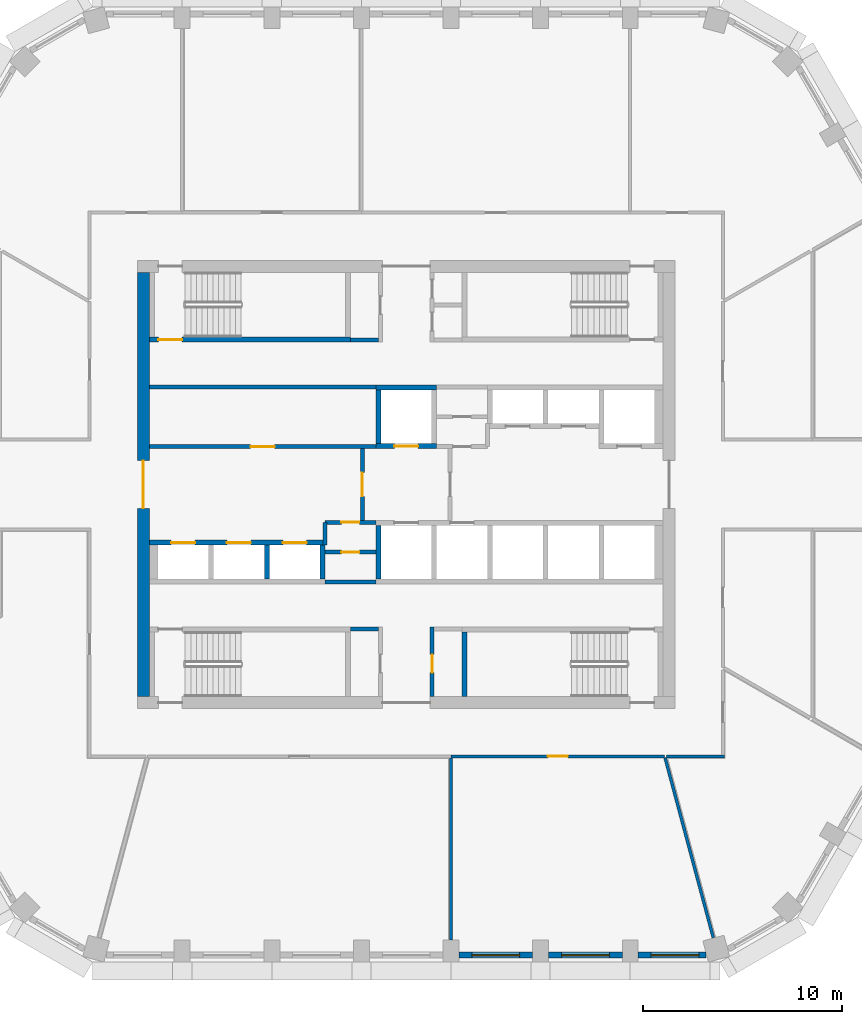
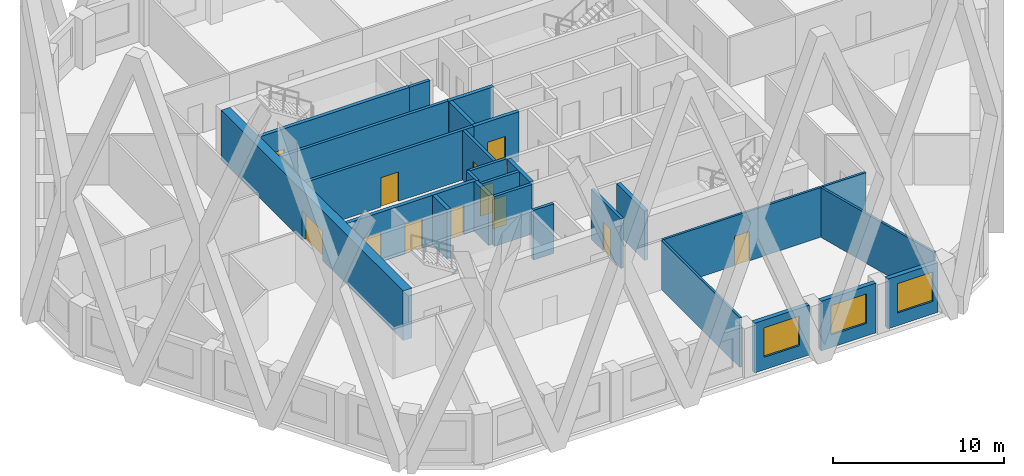
# One storey, part 3 of 15: 27 walls, 12 doors, 3 windows, 15 openings.
"""IFC4 building model written with IfcOpenShell, lengths in metres."""

from ifc_helpers import new_model, si_unit, direction, frame, frame_2d, origin, place, context, subcontext, project, spatial, polyline, rectangle, outline, extrude, material, layer, layer_set, type_object, element, fill, save


model = new_model("IFC4")

# Units and contexts
model_context = context("Model", 3, precision=1e-05, world=origin(), true_north=direction((0.0, 1.0)))
body_context = subcontext(model_context, "Body", "Model", "MODEL_VIEW")
ifc_project = project(units=[si_unit("LENGTHUNIT", "METRE"), si_unit("AREAUNIT", "SQUARE_METRE"), si_unit("VOLUMEUNIT", "CUBIC_METRE"), si_unit("PLANEANGLEUNIT", "RADIAN"), si_unit("MASSUNIT", "GRAM", prefix="KILO")], contexts=[model_context])

# Site, building, storey
site_placement = place(None, origin())
site = spatial("IfcSite", under=ifc_project, at=site_placement, CompositionType="ELEMENT")
building_placement = place(site_placement, origin())
building = spatial("IfcBuilding", under=site, at=building_placement, Name="Dhurran Vertical Campus", CompositionType="ELEMENT")
storey_placement = place(building_placement, frame((0.0, 0.0, 207.300048828125)))
storey = spatial("IfcBuildingStorey", under=building, at=storey_placement, Name="L51", CompositionType="ELEMENT", Elevation=207.300048828125)

# Wall, opening, window
ifc_material_1 = material(Name="Precast concrete C50/60", Category="concrete")
ifc_layer_1 = layer(ifc_material_1, 0.300048828125)
ifc_layer_set_1 = layer_set([ifc_layer_1], Name="Precast concrete C50/60")
wall_type_1 = type_object("IfcWallType", Name="Precast spandrel wall 300", PredefinedType="SOLIDWALL", material=ifc_layer_set_1)
wall_1_placement = place(storey_placement, frame((2.650390625, -23.635498046875, 0.0), z_axis=(0.0, 0.0, 1.0), x_axis=(1.0, 0.0, 0.0)))
wall_1 = element("IfcWall", 1, at=wall_1_placement, inside=storey, type_object=wall_type_1, Name="EW1 L51.04", PredefinedType="SOLIDWALL", context=body_context, shape_type="SweptSolid", body=[
    extrude(rectangle(XDim=3.69921875, YDim=0.300048828125, at=frame_2d((1.849609375, 0.0))), origin(), (0.0, 0.0, 1.0), 3.550048828125),
])
opening_1_placement = place(wall_1_placement, frame((0.6494140625, 0.0, 0.89990234375)))
opening_1 = element("IfcOpeningElement", 2, at=opening_1_placement, cuts=wall_1, Name="Opening WT1", PredefinedType="OPENING", context=body_context, shape_type="SweptSolid", body=[
    extrude(rectangle(XDim=2.39990234375, YDim=2.10009765625, at=frame_2d((1.199951171875, 1.050048828125))), frame((0.0, 0.159912109375, 0.0), z_axis=(0.0, -1.0, 0.0), x_axis=(1.0, 0.0, 0.0)), (0.0, 0.0, 1.0), 0.320068359375),
])
ifc_material_2 = material(Name="Aluminium frame with solar-control glass", Category="aluminium")
window_type = type_object("IfcWindowType", Name="Punched window 2400 x 2100", PartitioningType="SINGLE_PANEL", PredefinedType="WINDOW", material=ifc_material_2)
window_1_placement = place(opening_1_placement, origin())
window_1 = element("IfcWindow", 3, at=window_1_placement, inside=storey, type_object=window_type, Name="WT1 L51.04", OverallHeight=2.10009765625, OverallWidth=2.39990234375, PartitioningType="SINGLE_PANEL", PredefinedType="WINDOW", context=body_context, shape_type="SweptSolid", body=[
    extrude(rectangle(XDim=2.39990234375, YDim=2.10009765625, at=frame_2d((1.199951171875, 1.050048828125))), frame((0.0, 0.030029296875, 0.0), z_axis=(0.0, -1.0, 0.0), x_axis=(1.0, 0.0, 0.0)), (0.0, 0.0, 1.0), 0.06005859375),
])
fill(opening_1, window_1)

wall_2_placement = place(storey_placement, frame((7.150390625, -23.635498046875, 0.0), z_axis=(0.0, 0.0, 1.0), x_axis=(1.0, 0.0, 0.0)))
wall_2 = element("IfcWall", 4, at=wall_2_placement, inside=storey, type_object=wall_type_1, Name="EW1 L51.05", PredefinedType="SOLIDWALL", context=body_context, shape_type="SweptSolid", body=[
    extrude(rectangle(XDim=3.69921875, YDim=0.300048828125, at=frame_2d((1.849609375, 0.0))), origin(), (0.0, 0.0, 1.0), 3.550048828125),
])
opening_2_placement = place(wall_2_placement, frame((0.6494140625, 0.0, 0.89990234375)))
opening_2 = element("IfcOpeningElement", 5, at=opening_2_placement, cuts=wall_2, Name="Opening WT1", PredefinedType="OPENING", context=body_context, shape_type="SweptSolid", body=[
    extrude(rectangle(XDim=2.39990234375, YDim=2.10009765625, at=frame_2d((1.199951171875, 1.050048828125))), frame((0.0, 0.159912109375, 0.0), z_axis=(0.0, -1.0, 0.0), x_axis=(1.0, 0.0, 0.0)), (0.0, 0.0, 1.0), 0.320068359375),
])
window_2_placement = place(opening_2_placement, origin())
window_2 = element("IfcWindow", 6, at=window_2_placement, inside=storey, type_object=window_type, Name="WT1 L51.05", OverallHeight=2.10009765625, OverallWidth=2.39990234375, PartitioningType="SINGLE_PANEL", PredefinedType="WINDOW", context=body_context, shape_type="SweptSolid", body=[
    extrude(rectangle(XDim=2.39990234375, YDim=2.10009765625, at=frame_2d((1.199951171875, 1.050048828125))), frame((0.0, 0.030029296875, 0.0), z_axis=(0.0, -1.0, 0.0), x_axis=(1.0, 0.0, 0.0)), (0.0, 0.0, 1.0), 0.06005859375),
])
fill(opening_2, window_2)

wall_3_placement = place(storey_placement, frame((11.650390625, -23.635498046875, 0.0), z_axis=(0.0, 0.0, 1.0), x_axis=(1.0, 0.0, 0.0)))
wall_3 = element("IfcWall", 7, at=wall_3_placement, inside=storey, type_object=wall_type_1, Name="EW1 L51.06", PredefinedType="SOLIDWALL", context=body_context, shape_type="SweptSolid", body=[
    extrude(rectangle(XDim=3.39599609375, YDim=0.300048828125, at=frame_2d((1.697998046875, 0.0))), origin(), (0.0, 0.0, 1.0), 3.550048828125),
])
opening_3_placement = place(wall_3_placement, frame((0.6494140625, 0.0, 0.89990234375)))
opening_3 = element("IfcOpeningElement", 8, at=opening_3_placement, cuts=wall_3, Name="Opening WT1", PredefinedType="OPENING", context=body_context, shape_type="SweptSolid", body=[
    extrude(rectangle(XDim=2.39990234375, YDim=2.10009765625, at=frame_2d((1.199951171875, 1.050048828125))), frame((0.0, 0.159912109375, 0.0), z_axis=(0.0, -1.0, 0.0), x_axis=(1.0, 0.0, 0.0)), (0.0, 0.0, 1.0), 0.320068359375),
])
window_3_placement = place(opening_3_placement, origin())
window_3 = element("IfcWindow", 9, at=window_3_placement, inside=storey, type_object=window_type, Name="WT1 L51.06", OverallHeight=2.10009765625, OverallWidth=2.39990234375, PartitioningType="SINGLE_PANEL", PredefinedType="WINDOW", context=body_context, shape_type="SweptSolid", body=[
    extrude(rectangle(XDim=2.39990234375, YDim=2.10009765625, at=frame_2d((1.199951171875, 1.050048828125))), frame((0.0, 0.030029296875, 0.0), z_axis=(0.0, -1.0, 0.0), x_axis=(1.0, 0.0, 0.0)), (0.0, 0.0, 1.0), 0.06005859375),
])
fill(opening_3, window_3)

# Wall, opening, door
ifc_material_3 = material(Name="Concrete C50/60", Category="concrete")
ifc_layer_2 = layer(ifc_material_3, 0.60009765625)
ifc_layer_set_2 = layer_set([ifc_layer_2], Name="Concrete C50/60")
wall_type_2 = type_object("IfcWallType", Name="co-CORE-WALL-C2-600", PredefinedType="SHEAR", material=ifc_layer_set_2)
wall_4_placement = place(storey_placement, frame((-13.199951171875, -10.64990234375, 0.0), z_axis=(0.0, 0.0, 1.0), x_axis=(0.0, 1.0, 0.0)))
wall_4 = element("IfcWall", 10, at=wall_4_placement, inside=storey, type_object=wall_type_2, Name="Core wall W L51", PredefinedType="SHEAR", context=body_context, shape_type="SweptSolid", body=[
    extrude(rectangle(XDim=21.2998046875, YDim=0.60009765625, at=frame_2d((10.64990234375, 0.0))), origin(), (0.0, 0.0, 1.0), 3.550048828125),
])
opening_4_placement = place(wall_4_placement, frame((9.449951171875, 0.0, 0.0)))
opening_4 = element("IfcOpeningElement", 11, at=opening_4_placement, cuts=wall_4, Name="Opening CL1", PredefinedType="OPENING", context=body_context, shape_type="SweptSolid", body=[
    extrude(rectangle(XDim=2.39990234375, YDim=2.10009765625, at=frame_2d((1.199951171875, 1.050048828125))), frame((0.0, 0.31005859375, 0.0), z_axis=(0.0, -1.0, 0.0), x_axis=(1.0, 0.0, 0.0)), (0.0, 0.0, 1.0), 0.6201171875),
])
ifc_material_4 = material(Name="Fire-rated glazed door set")
door_type_1 = type_object("IfcDoorType", Name="co-D-LOBBY 2400x2100", OperationType="DOUBLE_DOOR_DOUBLE_SWING", PredefinedType="DOOR", material=ifc_material_4)
door_1_placement = place(opening_4_placement, origin())
door_1 = element("IfcDoor", 12, at=door_1_placement, inside=storey, type_object=door_type_1, Name="Lift lobby door W L51", OperationType="DOUBLE_DOOR_DOUBLE_SWING", OverallHeight=2.10009765625, OverallWidth=2.39990234375, PredefinedType="DOOR", context=body_context, shape_type="SweptSolid", body=[
    extrude(rectangle(XDim=2.39990234375, YDim=2.10009765625, at=frame_2d((1.199951171875, 1.050048828125))), frame((0.0, 0.02490234375, 0.0), z_axis=(0.0, -1.0, 0.0), x_axis=(1.0, 0.0, 0.0)), (0.0, 0.0, 1.0), 0.050048828125),
])
fill(opening_4, door_1)

ifc_material_5 = material(Name="Fire-rated masonry blockwork", Category="masonry")
ifc_layer_3 = layer(ifc_material_5, 0.199951171875)
ifc_layer_set_3 = layer_set([ifc_layer_3], Name="Fire-rated masonry blockwork")
wall_type_3 = type_object("IfcWallType", Name="co-FIRE-PARTITION-200", PredefinedType="PARTITIONING", material=ifc_layer_set_3)
wall_5_placement = place(storey_placement, frame((-2.199951171875, -1.800048828125, 0.0), z_axis=(0.0, 0.0, 1.0), x_axis=(0.0, 1.0, 0.0)))
wall_5 = element("IfcWall", 13, at=wall_5_placement, inside=storey, type_object=wall_type_3, Name="Firefighting lobby wall W L51", PredefinedType="PARTITIONING", context=body_context, shape_type="SweptSolid", body=[
    extrude(rectangle(XDim=3.60009765625, YDim=0.199951171875, at=frame_2d((1.800048828125, 0.0))), origin(), (0.0, 0.0, 1.0), 3.550048828125),
])
opening_5_placement = place(wall_5_placement, frame((1.199951171875, 0.0, 0.0)))
opening_5 = element("IfcOpeningElement", 14, at=opening_5_placement, cuts=wall_5, Name="Opening FL1", PredefinedType="OPENING", context=body_context, shape_type="SweptSolid", body=[
    extrude(rectangle(XDim=1.199951171875, YDim=2.10009765625, at=frame_2d((0.60009765625, 1.050048828125))), frame((0.0, 0.10986328125, 0.0), z_axis=(0.0, -1.0, 0.0), x_axis=(1.0, 0.0, 0.0)), (0.0, 0.0, 1.0), 0.219970703125),
])
ifc_material_6 = material(Name="Fire-rated steel door set", Category="steel")
door_type_2 = type_object("IfcDoorType", Name="co-D-FFLOBBY 1200x2100", OperationType="SINGLE_SWING_LEFT", PredefinedType="DOOR", material=ifc_material_6)
door_2_placement = place(opening_5_placement, origin())
door_2 = element("IfcDoor", 15, at=door_2_placement, inside=storey, type_object=door_type_2, Name="Firefighting lobby door W L51", OperationType="SINGLE_SWING_LEFT", OverallHeight=2.10009765625, OverallWidth=1.199951171875, PredefinedType="DOOR", context=body_context, shape_type="SweptSolid", body=[
    extrude(rectangle(XDim=1.199951171875, YDim=2.10009765625, at=frame_2d((0.60009765625, 1.050048828125))), frame((0.0, 0.02490234375, 0.0), z_axis=(0.0, -1.0, 0.0), x_axis=(1.0, 0.0, 0.0)), (0.0, 0.0, 1.0), 0.050048828125),
])
fill(opening_5, door_2)

# Walls
for number, where, z_axis, x_axis, name in (
    (16, (-2.800048828125, 7.25, 0.0), (0.0, 0.0, 1.0), (1.0, 0.0, 0.0), "Core partition sl-NW-S L51"),
    (17, (-2.800048828125, -7.25, 0.0), (0.0, 0.0, 1.0), (1.0, 0.0, 0.0), "Core partition sl-SW-S L51"),
):
    element("IfcWall", number, at=place(storey_placement, frame(where, z_axis=z_axis, x_axis=x_axis)), inside=storey, type_object=wall_type_3, Name=name, PredefinedType="PARTITIONING", context=body_context, shape_type="SweptSolid", body=[
        extrude(rectangle(XDim=1.400146484375, YDim=0.199951171875, at=frame_2d((0.7001953125, 0.0))), origin(), (0.0, 0.0, 1.0), 3.550048828125),
    ])

# Wall, opening, door
wall_6_placement = place(storey_placement, frame((1.300048828125, -10.64990234375, 0.0), z_axis=(0.0, 0.0, 1.0), x_axis=(0.0, 1.0, 0.0)))
wall_6 = element("IfcWall", 18, at=wall_6_placement, inside=storey, type_object=wall_type_3, Name="Core partition vest-SE L51", PredefinedType="PARTITIONING", context=body_context, shape_type="SweptSolid", body=[
    extrude(rectangle(XDim=3.5, YDim=0.199951171875, at=frame_2d((1.75, 0.0))), origin(), (0.0, 0.0, 1.0), 3.550048828125),
])
opening_6_placement = place(wall_6_placement, frame((1.199951171875, 0.0, 0.0)))
opening_6 = element("IfcOpeningElement", 19, at=opening_6_placement, cuts=wall_6, Name="Opening T15-C2", PredefinedType="OPENING", context=body_context, shape_type="SweptSolid", body=[
    extrude(rectangle(XDim=0.89990234375, YDim=2.10009765625, at=frame_2d((0.449951171875, 1.050048828125))), frame((0.0, 0.10986328125, 0.0), z_axis=(0.0, -1.0, 0.0), x_axis=(1.0, 0.0, 0.0)), (0.0, 0.0, 1.0), 0.219970703125),
])
ifc_material_7 = material(Name="Fire-rated timber door set", Category="wood")
door_type_3 = type_object("IfcDoorType", Name="co-D-ROOM 900x2100", OperationType="SINGLE_SWING_LEFT", PredefinedType="DOOR", material=ifc_material_7)
door_3_placement = place(opening_6_placement, origin())
door_3 = element("IfcDoor", 20, at=door_3_placement, inside=storey, type_object=door_type_3, Name="Cleaner's store door L51", OperationType="SINGLE_SWING_LEFT", OverallHeight=2.10009765625, OverallWidth=0.89990234375, PredefinedType="DOOR", context=body_context, shape_type="SweptSolid", body=[
    extrude(rectangle(XDim=0.89990234375, YDim=2.10009765625, at=frame_2d((0.449951171875, 1.050048828125))), frame((0.0, 0.02490234375, 0.0), z_axis=(0.0, -1.0, 0.0), x_axis=(1.0, 0.0, 0.0)), (0.0, 0.0, 1.0), 0.050048828125),
])
fill(opening_6, door_3)

wall_7_placement = place(storey_placement, frame((-12.89990234375, 1.89990234375, 0.0), z_axis=(0.0, 0.0, 1.0), x_axis=(1.0, 0.0, 0.0)))
wall_7 = element("IfcWall", 21, at=wall_7_placement, inside=storey, type_object=wall_type_3, Name="Core partition fr-N0-f L51", PredefinedType="PARTITIONING", context=body_context, shape_type="SweptSolid", body=[
    extrude(rectangle(XDim=11.375, YDim=0.199951171875, at=frame_2d((5.6875, 0.0))), origin(), (0.0, 0.0, 1.0), 3.550048828125),
])
opening_7_placement = place(wall_7_placement, frame((5.08740234375, 0.0, 0.0)))
opening_7 = element("IfcOpeningElement", 22, at=opening_7_placement, cuts=wall_7, Name="Opening T15-C6", PredefinedType="OPENING", context=body_context, shape_type="SweptSolid", body=[
    extrude(rectangle(XDim=1.199951171875, YDim=2.10009765625, at=frame_2d((0.60009765625, 1.050048828125))), frame((0.0, 0.10986328125, 0.0), z_axis=(0.0, -1.0, 0.0), x_axis=(1.0, 0.0, 0.0)), (0.0, 0.0, 1.0), 0.219970703125),
])
ifc_material_8 = material(Name="Fire-rated steel door set", Category="steel")
door_type_4 = type_object("IfcDoorType", Name="co-D-ROOM-PASSAGE 1200x2100", OperationType="SINGLE_SWING_RIGHT", PredefinedType="DOOR", material=ifc_material_8)
door_4_placement = place(opening_7_placement, origin())
door_4 = element("IfcDoor", 23, at=door_4_placement, inside=storey, type_object=door_type_4, Name="Print room door L51", OperationType="SINGLE_SWING_RIGHT", OverallHeight=2.10009765625, OverallWidth=1.199951171875, PredefinedType="DOOR", context=body_context, shape_type="SweptSolid", body=[
    extrude(rectangle(XDim=1.199951171875, YDim=2.10009765625, at=frame_2d((0.60009765625, 1.050048828125))), frame((0.0, 0.02490234375, 0.0), z_axis=(0.0, -1.0, 0.0), x_axis=(1.0, 0.0, 0.0)), (0.0, 0.0, 1.0), 0.050048828125),
])
fill(opening_7, door_4)

# Wall
wall_8_placement = place(storey_placement, frame((-12.89990234375, 4.89990234375, 0.0), z_axis=(0.0, 0.0, 1.0), x_axis=(1.0, 0.0, 0.0)))
element("IfcWall", 24, at=wall_8_placement, inside=storey, type_object=wall_type_3, Name="Core partition fr-N0-b L51", PredefinedType="PARTITIONING", context=body_context, shape_type="SweptSolid", body=[
    extrude(rectangle(XDim=11.375, YDim=0.199951171875, at=frame_2d((5.6875, 0.0))), origin(), (0.0, 0.0, 1.0), 3.550048828125),
])

# Wall, opening, door
wall_9_placement = place(storey_placement, frame((-4.074951171875, -3.39990234375, 0.0), z_axis=(0.0, 0.0, 1.0), x_axis=(1.0, 0.0, 0.0)))
wall_9 = element("IfcWall", 25, at=wall_9_placement, inside=storey, type_object=wall_type_3, Name="Core partition fr-S0-c L51", PredefinedType="PARTITIONING", context=body_context, shape_type="SweptSolid", body=[
    extrude(rectangle(XDim=2.550048828125, YDim=0.199951171875, at=frame_2d((1.27490234375, 0.0))), origin(), (0.0, 0.0, 1.0), 3.550048828125),
])
opening_8_placement = place(wall_9_placement, frame((0.824951171875, 0.0, 0.0)))
opening_8 = element("IfcOpeningElement", 26, at=opening_8_placement, cuts=wall_9, Name="Opening T15-C9", PredefinedType="OPENING", context=body_context, shape_type="SweptSolid", body=[
    extrude(rectangle(XDim=0.89990234375, YDim=2.10009765625, at=frame_2d((0.449951171875, 1.050048828125))), frame((0.0, 0.10986328125, 0.0), z_axis=(0.0, -1.0, 0.0), x_axis=(1.0, 0.0, 0.0)), (0.0, 0.0, 1.0), 0.219970703125),
])
door_5_placement = place(opening_8_placement, origin())
door_5 = element("IfcDoor", 27, at=door_5_placement, inside=storey, type_object=door_type_3, Name="Housekeeping store door L51", OperationType="SINGLE_SWING_LEFT", OverallHeight=2.10009765625, OverallWidth=0.89990234375, PredefinedType="DOOR", context=body_context, shape_type="SweptSolid", body=[
    extrude(rectangle(XDim=0.89990234375, YDim=2.10009765625, at=frame_2d((0.449951171875, 1.050048828125))), frame((0.0, 0.02490234375, 0.0), z_axis=(0.0, -1.0, 0.0), x_axis=(1.0, 0.0, 0.0)), (0.0, 0.0, 1.0), 0.050048828125),
])
fill(opening_8, door_5)

wall_10_placement = place(storey_placement, frame((-4.074951171875, -1.89990234375, 0.0), z_axis=(0.0, 0.0, 1.0), x_axis=(1.0, 0.0, 0.0)))
wall_10 = element("IfcWall", 28, at=wall_10_placement, inside=storey, type_object=wall_type_3, Name="Core partition fr-S0-f L51", PredefinedType="PARTITIONING", context=body_context, shape_type="SweptSolid", body=[
    extrude(rectangle(XDim=2.550048828125, YDim=0.199951171875, at=frame_2d((1.27490234375, 0.0))), origin(), (0.0, 0.0, 1.0), 3.550048828125),
])
opening_9_placement = place(wall_10_placement, frame((0.824951171875, 0.0, 0.0)))
opening_9 = element("IfcOpeningElement", 29, at=opening_9_placement, cuts=wall_10, Name="Opening T15-C10", PredefinedType="OPENING", context=body_context, shape_type="SweptSolid", body=[
    extrude(rectangle(XDim=0.89990234375, YDim=2.10009765625, at=frame_2d((0.449951171875, 1.050048828125))), frame((0.0, 0.10986328125, 0.0), z_axis=(0.0, -1.0, 0.0), x_axis=(1.0, 0.0, 0.0)), (0.0, 0.0, 1.0), 0.219970703125),
])
door_6_placement = place(opening_9_placement, origin())
door_6 = element("IfcDoor", 30, at=door_6_placement, inside=storey, type_object=door_type_3, Name="Plant room door L51", OperationType="SINGLE_SWING_LEFT", OverallHeight=2.10009765625, OverallWidth=0.89990234375, PredefinedType="DOOR", context=body_context, shape_type="SweptSolid", body=[
    extrude(rectangle(XDim=0.89990234375, YDim=2.10009765625, at=frame_2d((0.449951171875, 1.050048828125))), frame((0.0, 0.02490234375, 0.0), z_axis=(0.0, -1.0, 0.0), x_axis=(1.0, 0.0, 0.0)), (0.0, 0.0, 1.0), 0.050048828125),
])
fill(opening_9, door_6)

# Walls
wall_11_placement = place(storey_placement, frame((-4.074951171875, -4.89990234375, 0.0), z_axis=(0.0, 0.0, 1.0), x_axis=(1.0, 0.0, 0.0)))
element("IfcWall", 31, at=wall_11_placement, inside=storey, type_object=wall_type_3, Name="Core partition fr-S0-b L51", PredefinedType="PARTITIONING", context=body_context, shape_type="SweptSolid", body=[
    extrude(rectangle(XDim=2.550048828125, YDim=0.199951171875, at=frame_2d((1.27490234375, 0.0))), origin(), (0.0, 0.0, 1.0), 3.550048828125),
])
wall_12_placement = place(storey_placement, frame((-4.074951171875, -1.89990234375, 0.0), z_axis=(0.0, 0.0, 1.0), x_axis=(0.0, -1.0, 0.0)))
element("IfcWall", 32, at=wall_12_placement, inside=storey, type_object=wall_type_3, Name="Core partition fr-S0-n0 L51", PredefinedType="PARTITIONING", context=body_context, shape_type="SweptSolid", body=[
    extrude(rectangle(XDim=1.150146484375, YDim=0.199951171875, at=frame_2d((0.5751953125, 0.0))), origin(), (0.0, 0.0, 1.0), 3.550048828125),
])

# Wall, opening, door
ifc_material_9 = material(Name="Concrete C50/60", Category="concrete")
ifc_layer_4 = layer(ifc_material_9, 0.25)
ifc_layer_set_4 = layer_set([ifc_layer_4], Name="Concrete C50/60")
wall_type_4 = type_object("IfcWallType", Name="co-SHAFT-FRONT-250", PredefinedType="SHEAR", material=ifc_layer_set_4)
wall_13_placement = place(storey_placement, frame((-1.52490234375, 1.925048828125, 0.0), z_axis=(0.0, 0.0, 1.0), x_axis=(1.0, 0.0, 0.0)))
wall_13 = element("IfcWall", 33, at=wall_13_placement, inside=storey, type_object=wall_type_4, Name="Lift landing wall N L51", PredefinedType="SHEAR", context=body_context, shape_type="SweptSolid", body=[
    extrude(rectangle(XDim=3.0498046875, YDim=0.25, at=frame_2d((1.52490234375, 0.0))), origin(), (0.0, 0.0, 1.0), 3.550048828125),
])
opening_10_placement = place(wall_13_placement, frame((0.925048828125, 0.0, 0.0)))
opening_10 = element("IfcOpeningElement", 34, at=opening_10_placement, cuts=wall_13, Name="Opening LD", PredefinedType="OPENING", context=body_context, shape_type="SweptSolid", body=[
    extrude(rectangle(XDim=1.199951171875, YDim=2.10009765625, at=frame_2d((0.60009765625, 1.050048828125))), frame((0.0, 0.135009765625, 0.0), z_axis=(0.0, -1.0, 0.0), x_axis=(1.0, 0.0, 0.0)), (0.0, 0.0, 1.0), 0.27001953125),
])
ifc_material_10 = material(Name="Stainless steel landing door", Category="steel")
door_type_5 = type_object("IfcDoorType", Name="co-D-LANDING 1200x2100", OperationType="DOUBLE_DOOR_SLIDING", PredefinedType="DOOR", material=ifc_material_10)
door_7_placement = place(opening_10_placement, origin())
door_7 = element("IfcDoor", 35, at=door_7_placement, inside=storey, type_object=door_type_5, Name="Landing door FF1 L51", OperationType="DOUBLE_DOOR_SLIDING", OverallHeight=2.10009765625, OverallWidth=1.199951171875, PredefinedType="DOOR", context=body_context, shape_type="SweptSolid", body=[
    extrude(rectangle(XDim=1.199951171875, YDim=2.10009765625, at=frame_2d((0.60009765625, 1.050048828125))), frame((0.0, 0.02490234375, 0.0), z_axis=(0.0, -1.0, 0.0), x_axis=(1.0, 0.0, 0.0)), (0.0, 0.0, 1.0), 0.050048828125),
])
fill(opening_10, door_7)

# Wall, openings, doors
wall_14_placement = place(storey_placement, frame((-12.89990234375, -2.925048828125, 0.0), z_axis=(0.0, 0.0, 1.0), x_axis=(1.0, 0.0, 0.0)))
wall_14 = element("IfcWall", 36, at=wall_14_placement, inside=storey, type_object=wall_type_4, Name="Lift landing wall S L51", PredefinedType="SHEAR", context=body_context, shape_type="SweptSolid", body=[
    extrude(rectangle(XDim=8.824951171875, YDim=0.25, at=frame_2d((4.41259765625, 0.0))), origin(), (0.0, 0.0, 1.0), 3.550048828125),
])
opening_11_placement = place(wall_14_placement, frame((1.10009765625, 0.0, 0.0)))
opening_11 = element("IfcOpeningElement", 37, at=opening_11_placement, cuts=wall_14, Name="Opening LD", PredefinedType="OPENING", context=body_context, shape_type="SweptSolid", body=[
    extrude(rectangle(XDim=1.199951171875, YDim=2.10009765625, at=frame_2d((0.60009765625, 1.050048828125))), frame((0.0, 0.135009765625, 0.0), z_axis=(0.0, -1.0, 0.0), x_axis=(1.0, 0.0, 0.0)), (0.0, 0.0, 1.0), 0.27001953125),
])
opening_12_placement = place(wall_14_placement, frame((3.89990234375, 0.0, 0.0)))
opening_12 = element("IfcOpeningElement", 38, at=opening_12_placement, cuts=wall_14, Name="Opening LD", PredefinedType="OPENING", context=body_context, shape_type="SweptSolid", body=[
    extrude(rectangle(XDim=1.199951171875, YDim=2.10009765625, at=frame_2d((0.60009765625, 1.050048828125))), frame((0.0, 0.135009765625, 0.0), z_axis=(0.0, -1.0, 0.0), x_axis=(1.0, 0.0, 0.0)), (0.0, 0.0, 1.0), 0.27001953125),
])
opening_13_placement = place(wall_14_placement, frame((6.699951171875, 0.0, 0.0)))
opening_13 = element("IfcOpeningElement", 39, at=opening_13_placement, cuts=wall_14, Name="Opening LD", PredefinedType="OPENING", context=body_context, shape_type="SweptSolid", body=[
    extrude(rectangle(XDim=1.199951171875, YDim=2.10009765625, at=frame_2d((0.60009765625, 1.050048828125))), frame((0.0, 0.135009765625, 0.0), z_axis=(0.0, -1.0, 0.0), x_axis=(1.0, 0.0, 0.0)), (0.0, 0.0, 1.0), 0.27001953125),
])
door_8_placement = place(opening_11_placement, origin())
door_8 = element("IfcDoor", 40, at=door_8_placement, inside=storey, type_object=door_type_5, Name="Landing door MR3 L51", OperationType="DOUBLE_DOOR_SLIDING", OverallHeight=2.10009765625, OverallWidth=1.199951171875, PredefinedType="DOOR", context=body_context, shape_type="SweptSolid", body=[
    extrude(rectangle(XDim=1.199951171875, YDim=2.10009765625, at=frame_2d((0.60009765625, 1.050048828125))), frame((0.0, 0.02490234375, 0.0), z_axis=(0.0, -1.0, 0.0), x_axis=(1.0, 0.0, 0.0)), (0.0, 0.0, 1.0), 0.050048828125),
])
fill(opening_11, door_8)
door_9_placement = place(opening_12_placement, origin())
door_9 = element("IfcDoor", 41, at=door_9_placement, inside=storey, type_object=door_type_5, Name="Landing door MR4 L51", OperationType="DOUBLE_DOOR_SLIDING", OverallHeight=2.10009765625, OverallWidth=1.199951171875, PredefinedType="DOOR", context=body_context, shape_type="SweptSolid", body=[
    extrude(rectangle(XDim=1.199951171875, YDim=2.10009765625, at=frame_2d((0.60009765625, 1.050048828125))), frame((0.0, 0.02490234375, 0.0), z_axis=(0.0, -1.0, 0.0), x_axis=(1.0, 0.0, 0.0)), (0.0, 0.0, 1.0), 0.050048828125),
])
fill(opening_12, door_9)
door_10_placement = place(opening_13_placement, origin())
door_10 = element("IfcDoor", 42, at=door_10_placement, inside=storey, type_object=door_type_5, Name="Landing door MR5 L51", OperationType="DOUBLE_DOOR_SLIDING", OverallHeight=2.10009765625, OverallWidth=1.199951171875, PredefinedType="DOOR", context=body_context, shape_type="SweptSolid", body=[
    extrude(rectangle(XDim=1.199951171875, YDim=2.10009765625, at=frame_2d((0.60009765625, 1.050048828125))), frame((0.0, 0.02490234375, 0.0), z_axis=(0.0, -1.0, 0.0), x_axis=(1.0, 0.0, 0.0)), (0.0, 0.0, 1.0), 0.050048828125),
])
fill(opening_13, door_10)

# Walls
ifc_material_11 = material(Name="Concrete C50/60", Category="concrete")
ifc_layer_5 = layer(ifc_material_11, 0.25)
ifc_layer_set_5 = layer_set([ifc_layer_5], Name="Concrete C50/60")
wall_type_5 = type_object("IfcWallType", Name="co-SHAFT-MASS-250", PredefinedType="SHEAR", material=ifc_layer_set_5)
wall_15_placement = place(storey_placement, origin())
element("IfcWall", 43, at=wall_15_placement, inside=storey, type_object=wall_type_5, Name="Lift shaft wall N L51 1", PredefinedType="SHEAR", context=body_context, shape_type="SweptSolid", body=[
    extrude(outline(polyline([(-1.52490234375, 4.75), (1.52490234375, 4.75), (1.52490234375, 5.0), (-1.52490234375, 5.0), (-1.52490234375, 4.75)])), origin(), (0.0, 0.0, 1.0), 3.550048828125),
])
wall_16_placement = place(storey_placement, origin())
element("IfcWall", 44, at=wall_16_placement, inside=storey, type_object=wall_type_5, Name="Lift shaft wall N L51 3", PredefinedType="SHEAR", context=body_context, shape_type="SweptSolid", body=[
    extrude(outline(polyline([(-1.52490234375, 2.050048828125), (-1.27490234375, 2.050048828125), (-1.27490234375, 4.75), (-1.52490234375, 4.75), (-1.52490234375, 2.050048828125)])), origin(), (0.0, 0.0, 1.0), 3.550048828125),
])
wall_17_placement = place(storey_placement, origin())
element("IfcWall", 45, at=wall_17_placement, inside=storey, type_object=wall_type_5, Name="Lift shaft wall S L51 5", PredefinedType="SHEAR", context=body_context, shape_type="SweptSolid", body=[
    extrude(outline(polyline([(-7.125, -4.75), (-6.875, -4.75), (-6.875, -3.050048828125), (-7.125, -3.050048828125), (-7.125, -4.75)])), origin(), (0.0, 0.0, 1.0), 3.550048828125),
])
wall_18_placement = place(storey_placement, origin())
element("IfcWall", 46, at=wall_18_placement, inside=storey, type_object=wall_type_5, Name="Lift shaft wall S L51 6", PredefinedType="SHEAR", context=body_context, shape_type="SweptSolid", body=[
    extrude(outline(polyline([(-4.324951171875, -4.75), (-4.074951171875, -4.75), (-4.074951171875, -3.050048828125), (-4.324951171875, -3.050048828125), (-4.324951171875, -4.75)])), origin(), (0.0, 0.0, 1.0), 3.550048828125),
])
wall_19_placement = place(storey_placement, origin())
element("IfcWall", 47, at=wall_19_placement, inside=storey, type_object=wall_type_5, Name="Lift shaft wall S L51 7", PredefinedType="SHEAR", context=body_context, shape_type="SweptSolid", body=[
    extrude(outline(polyline([(-1.52490234375, -4.75), (-1.27490234375, -4.75), (-1.27490234375, -2.050048828125), (-1.52490234375, -2.050048828125), (-1.52490234375, -4.75)])), origin(), (0.0, 0.0, 1.0), 3.550048828125),
])

# Wall, opening, door
ifc_material_12 = material(Name="Concrete C40/50", Category="concrete")
ifc_layer_6 = layer(ifc_material_12, 0.25)
ifc_layer_set_6 = layer_set([ifc_layer_6], Name="Concrete C40/50")
wall_type_6 = type_object("IfcWallType", Name="co-STAIR-WALL-250", PredefinedType="SHEAR", material=ifc_layer_set_6)
wall_20_placement = place(storey_placement, frame((-12.89990234375, 7.27490234375, 0.0), z_axis=(0.0, 0.0, 1.0), x_axis=(1.0, 0.0, 0.0)))
wall_20 = element("IfcWall", 48, at=wall_20_placement, inside=storey, type_object=wall_type_6, Name="Stair ST1 enclosure wall L51", PredefinedType="SHEAR", context=body_context, shape_type="SweptSolid", body=[
    extrude(rectangle(XDim=10.099853515625, YDim=0.25, at=frame_2d((5.0498046875, 0.0))), origin(), (0.0, 0.0, 1.0), 3.550048828125),
])
opening_14_placement = place(wall_20_placement, frame((0.449951171875, 0.0, 0.0)))
opening_14 = element("IfcOpeningElement", 49, at=opening_14_placement, cuts=wall_20, Name="Opening SD1", PredefinedType="OPENING", context=body_context, shape_type="SweptSolid", body=[
    extrude(rectangle(XDim=1.199951171875, YDim=2.10009765625, at=frame_2d((0.60009765625, 1.050048828125))), frame((0.0, 0.135009765625, 0.0), z_axis=(0.0, -1.0, 0.0), x_axis=(1.0, 0.0, 0.0)), (0.0, 0.0, 1.0), 0.27001953125),
])
ifc_material_13 = material(Name="Fire-rated steel door set", Category="steel")
door_type_6 = type_object("IfcDoorType", Name="co-D-STAIR 1200x2100", OperationType="SINGLE_SWING_LEFT", PredefinedType="DOOR", material=ifc_material_13)
door_11_placement = place(opening_14_placement, origin())
door_11 = element("IfcDoor", 50, at=door_11_placement, inside=storey, type_object=door_type_6, Name="Stair ST1 door L51", OperationType="SINGLE_SWING_LEFT", OverallHeight=2.10009765625, OverallWidth=1.199951171875, PredefinedType="DOOR", context=body_context, shape_type="SweptSolid", body=[
    extrude(rectangle(XDim=1.199951171875, YDim=2.10009765625, at=frame_2d((0.60009765625, 1.050048828125))), frame((0.0, 0.02490234375, 0.0), z_axis=(0.0, -1.0, 0.0), x_axis=(1.0, 0.0, 0.0)), (0.0, 0.0, 1.0), 0.050048828125),
])
fill(opening_14, door_11)

# Wall
wall_21_placement = place(storey_placement, frame((2.925048828125, -10.64990234375, 0.0), z_axis=(0.0, 0.0, 1.0), x_axis=(0.0, 1.0, 0.0)))
element("IfcWall", 51, at=wall_21_placement, inside=storey, type_object=wall_type_6, Name="Stair ST4 enclosure wall L51", PredefinedType="SHEAR", context=body_context, shape_type="SweptSolid", body=[
    extrude(rectangle(XDim=3.25, YDim=0.25, at=frame_2d((1.625, 0.0))), origin(), (0.0, 0.0, 1.0), 3.550048828125),
])

# Wall, opening, door
ifc_material_14 = material(Name="Gypsum board corridor wall on steel studs", Category="steel")
ifc_layer_7 = layer(ifc_material_14, 0.14990234375)
ifc_layer_set_7 = layer_set([ifc_layer_7], Name="Gypsum board corridor wall on steel studs")
wall_type_7 = type_object("IfcWallType", Name="fl-CW-150 corridor wall", PredefinedType="PARTITIONING", material=ifc_layer_set_7)
wall_22_placement = place(storey_placement, frame((2.25, -13.64990234375, 0.0), z_axis=(0.0, 0.0, 1.0), x_axis=(1.0, 0.0, 0.0)))
wall_22 = element("IfcWall", 52, at=wall_22_placement, inside=storey, type_object=wall_type_7, Name="Partition 51-28", PredefinedType="PARTITIONING", context=body_context, shape_type="SweptSolid", body=[
    extrude(rectangle(XDim=10.73095703125, YDim=0.14990234375, at=frame_2d((5.365478515625, 0.0))), origin(), (0.0, 0.0, 1.0), 3.550048828125),
])
opening_15_placement = place(wall_22_placement, frame((4.865478515625, 0.0, 0.0)))
opening_15 = element("IfcOpeningElement", 53, at=opening_15_placement, cuts=wall_22, Name="Opening T15.11", PredefinedType="OPENING", context=body_context, shape_type="SweptSolid", body=[
    extrude(rectangle(XDim=1.0, YDim=2.10009765625, at=frame_2d((0.5, 1.050048828125))), frame((0.0, 0.0849609375, 0.0), z_axis=(0.0, -1.0, 0.0), x_axis=(1.0, 0.0, 0.0)), (0.0, 0.0, 1.0), 0.169921875),
])
ifc_material_15 = material(Name="Solid-core timber door set, fire-rated", Category="wood")
door_type_7 = type_object("IfcDoorType", Name="fl-D-1000x2100", OperationType="SINGLE_SWING_LEFT", PredefinedType="DOOR", material=ifc_material_15)
door_12_placement = place(opening_15_placement, origin())
door_12 = element("IfcDoor", 54, at=door_12_placement, inside=storey, type_object=door_type_7, Name="Door 51.11", OperationType="SINGLE_SWING_RIGHT", OverallHeight=2.10009765625, OverallWidth=1.0, PredefinedType="DOOR", context=body_context, shape_type="SweptSolid", body=[
    extrude(rectangle(XDim=1.0, YDim=2.10009765625, at=frame_2d((0.5, 1.050048828125))), frame((0.0, 0.02490234375, 0.0), z_axis=(0.0, -1.0, 0.0), x_axis=(1.0, 0.0, 0.0)), (0.0, 0.0, 1.0), 0.050048828125),
])
fill(opening_15, door_12)

# Walls
wall_23_placement = place(storey_placement, frame((13.075927734375, -13.64990234375, 0.0), z_axis=(0.0, 0.0, 1.0), x_axis=(1.0, 0.0, 0.0)))
element("IfcWall", 55, at=wall_23_placement, inside=storey, type_object=wall_type_7, Name="Partition 51-32", PredefinedType="PARTITIONING", context=body_context, shape_type="SweptSolid", body=[
    extrude(rectangle(XDim=2.899169921875, YDim=0.14990234375, at=frame_2d((1.44970703125, 0.0))), origin(), (0.0, 0.0, 1.0), 3.550048828125),
])
ifc_material_16 = material(Name="Gypsum board partition on steel studs", Category="steel")
ifc_layer_8 = layer(ifc_material_16, 0.14990234375)
ifc_layer_set_8 = layer_set([ifc_layer_8], Name="Gypsum board partition on steel studs")
wall_type_8 = type_object("IfcWallType", Name="fl-PW-150 fixed partition", PredefinedType="PARTITIONING", material=ifc_layer_set_8)
wall_24_placement = place(storey_placement, frame((2.25, -13.72509765625, 0.0), z_axis=(0.0, 0.0, 1.0), x_axis=(0.0, -1.0, 0.0)))
element("IfcWall", 56, at=wall_24_placement, inside=storey, type_object=wall_type_8, Name="Partition 51-27", PredefinedType="PARTITIONING", context=body_context, shape_type="SweptSolid", body=[
    extrude(rectangle(XDim=9.140380859375, YDim=0.14990234375, at=frame_2d((4.5703125, 0.0))), origin(), (0.0, 0.0, 1.0), 3.550048828125),
])
wall_25_placement = place(storey_placement, frame((13.00048828125, -13.722412109375, 0.0), z_axis=(0.0, 0.0, 1.0), x_axis=(0.258812157425, -0.96592767181, 0.0)))
element("IfcWall", 57, at=wall_25_placement, inside=storey, type_object=wall_type_8, Name="Partition 51-31", PredefinedType="PARTITIONING", context=body_context, shape_type="SweptSolid", body=[
    extrude(rectangle(XDim=9.357666015625, YDim=0.14990234375, at=frame_2d((4.6787109375, 0.0))), origin(), (0.0, 0.0, 1.0), 3.550048828125),
])

save(model, "model.ifc")
